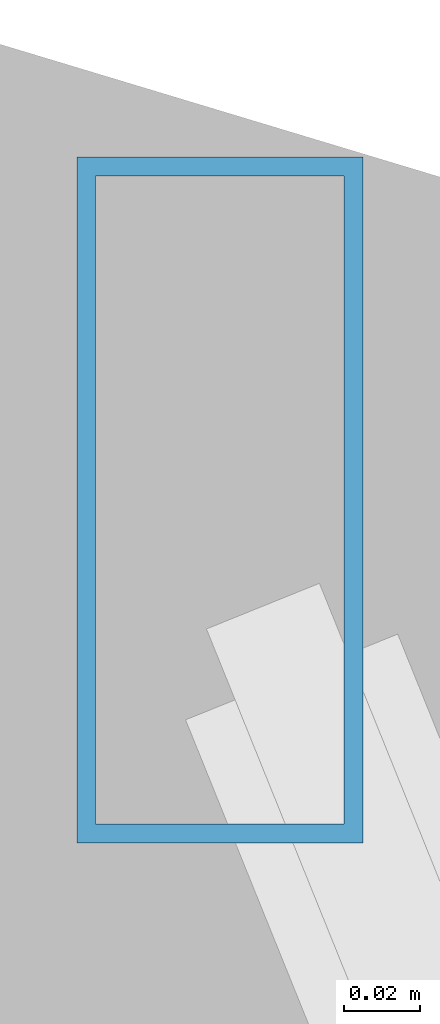
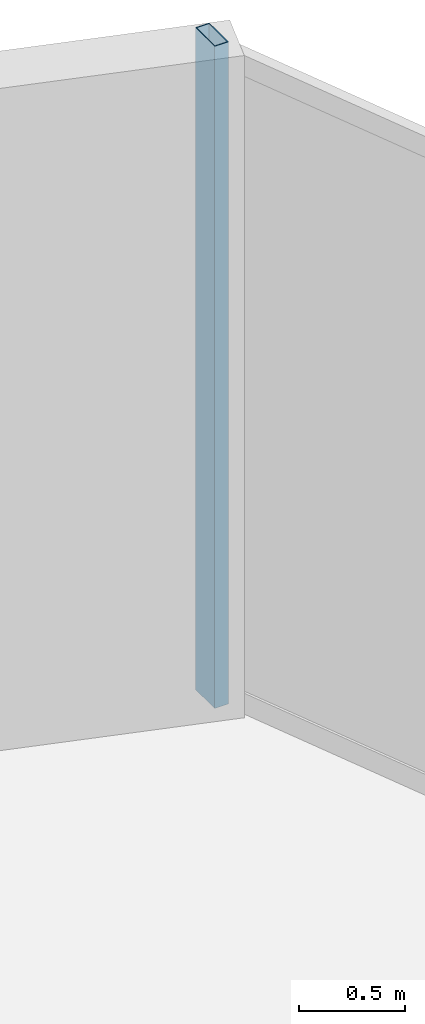
# One storey, part 23 of 30: 1 member, 1 element without a shape of its own.
"""IFC4 building model written with IfcOpenShell, lengths in metres."""

from ifc_helpers import new_model, si_unit, direction, frame, origin, origin_2d, place, context, subcontext, project, spatial, hollow_rectangle, extrude, material, layer, layer_set, material_profile, profile_set, type_object, element, aggregate, save


model = new_model("IFC4")

# Units and contexts
model_context = context("Model", 3, precision=1e-05, world=origin(), true_north=direction((0.0, 1.0)))
body_context = subcontext(model_context, "Body", "Model", "MODEL_VIEW")
ifc_project = project(units=[si_unit("LENGTHUNIT", "METRE"), si_unit("AREAUNIT", "SQUARE_METRE"), si_unit("VOLUMEUNIT", "CUBIC_METRE"), si_unit("PLANEANGLEUNIT", "RADIAN"), si_unit("MASSUNIT", "GRAM", prefix="KILO")], contexts=[model_context])

# Site, building, storey
site_placement = place(None, origin())
site = spatial("IfcSite", under=ifc_project, at=site_placement, CompositionType="ELEMENT")
building_placement = place(site_placement, origin())
building = spatial("IfcBuilding", under=site, at=building_placement, Name="Veymaron Broadcast Tower", CompositionType="ELEMENT")
storey_placement = place(building_placement, frame((0.0, 0.0, 66.14990234375)))
storey = spatial("IfcBuildingStorey", under=building, at=storey_placement, Name="L14", CompositionType="ELEMENT", Elevation=66.14990234375)

# Curtain wall, member
ifc_material_1 = material(Name="Anodised aluminium AA 6063-T6 and laminated low-E dark glass", Category="aluminium")
ifc_layer = layer(ifc_material_1, 0.179931640625)
ifc_layer_set = layer_set([ifc_layer], Name="Anodised aluminium AA 6063-T6 and laminated low-E dark glass")
curtain_wall_type = type_object("IfcCurtainWallType", Name="CW-SYS-02", PredefinedType="NOTDEFINED", material=ifc_layer_set)
curtain_wall_placement = place(storey_placement, origin())
curtain_wall = element("IfcCurtainWall", 1, at=curtain_wall_placement, inside=storey, type_object=curtain_wall_type, Name="L14 dark-glass curtain wall CW-L14-E5-1", PredefinedType="NOTDEFINED")
ifc_material_2 = material(Name="Anodised aluminium AA 6063-T6", Category="aluminium")
ifc_material_profile = material_profile(ifc_material_2, hollow_rectangle(XDim=0.074951171875, YDim=0.179931640625, WallThickness=0.0048828125, at=origin_2d()), Name="AL180X75X5")
ifc_profile_set = profile_set([ifc_material_profile], Name="Anodised aluminium AA 6063-T6")
member_type = type_object("IfcMemberType", Name="CW-MUL-02", PredefinedType="MULLION", material=ifc_profile_set)
member_placement = place(storey_placement, frame((41.580322265625, 43.741455078125, 0.0), z_axis=(0.0, 0.0, 1.0), x_axis=(1.0, 0.0, 0.0)))
member = element("IfcMember", 2, at=member_placement, type_object=member_type, Name="CW-L14-E5-1 mullion 2", PredefinedType="MULLION", context=body_context, shape_type="SweptSolid", body=[
    extrude(hollow_rectangle(XDim=0.074951171875, YDim=0.179931640625, WallThickness=0.0048828125, at=origin_2d()), origin(), (0.0, 0.0, 1.0), 3.81005859375),
])
aggregate(curtain_wall, [member])

save(model, "model.ifc")
